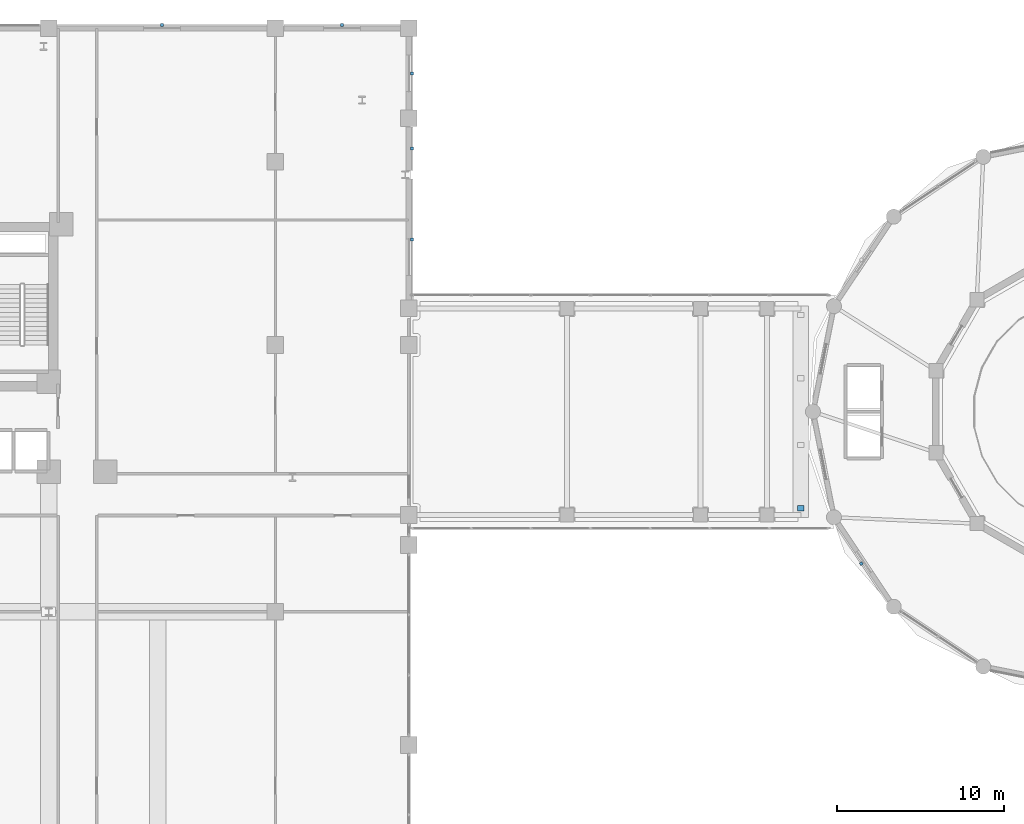
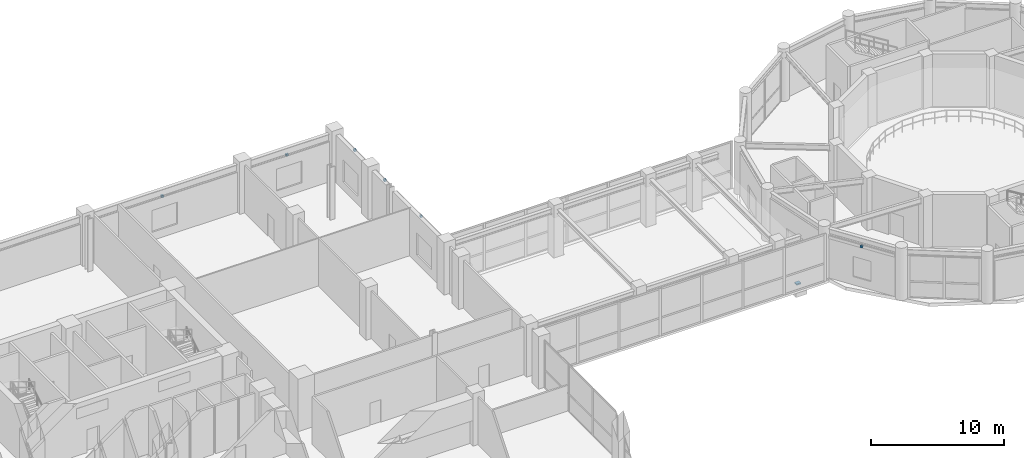
# One storey, part 37 of 44: 7 discrete accessories.
"""IFC4 building model written with IfcOpenShell, lengths in metres."""

from ifc_helpers import new_model, si_unit, derived_unit, direction, frame, origin, origin_2d, place, context, subcontext, project, spatial, rectangle, extrude, source, transform, mapped, material, type_object, element, save


model = new_model("IFC4")

# Units and contexts
model_context = context("Model", 3, precision=1e-05, world=origin(), true_north=direction((0.0, 1.0)))
body_context = subcontext(model_context, "Body", "Model", "MODEL_VIEW")
ifc_project = project(units=[si_unit("LENGTHUNIT", "METRE"), si_unit("AREAUNIT", "SQUARE_METRE"), si_unit("VOLUMEUNIT", "CUBIC_METRE"), si_unit("PLANEANGLEUNIT", "RADIAN"), si_unit("MASSUNIT", "GRAM", prefix="KILO"), derived_unit("THERMALTRANSMITTANCEUNIT", [(si_unit("POWERUNIT", "WATT"), 1), (si_unit("LENGTHUNIT", "METRE"), -2), (si_unit("THERMODYNAMICTEMPERATUREUNIT", "KELVIN"), -1)])], contexts=[model_context])

# Site, building, storey
site_placement = place(None, origin())
site = spatial("IfcSite", under=ifc_project, at=site_placement, CompositionType="ELEMENT")
building_placement = place(site_placement, origin())
building = spatial("IfcBuilding", under=site, at=building_placement, Name="Korsvarv Bourse and Concert Hall", CompositionType="ELEMENT")
storey_placement = place(building_placement, frame((0.0, 0.0, 9.60009765625)))
storey = spatial("IfcBuildingStorey", under=building, at=storey_placement, Name="L02", CompositionType="ELEMENT", Elevation=9.60009765625)

# Discrete accessories
ifc_material_1 = material(Name="Steel S355 and PTFE bearing", Category="steel")
discrete_accessory_type_1 = type_object("IfcDiscreteAccessoryType", Name="ACC-PTFE", PredefinedType="USERDEFINED", material=ifc_material_1)
shared_shape_1 = source(origin(), body_context, "Body", "SweptSolid", [
    extrude(rectangle(XDim=0.39990234375, YDim=0.320068359375, at=origin_2d()), origin(), (0.0, 0.0, 1.0), 0.1201171875),
])
discrete_accessory_placement = place(storey_placement, frame((89.52001953125, 30.199951171875, -0.380126953125), z_axis=(0.0, 0.0, 1.0), x_axis=(1.0, 0.0, 0.0)))
element("IfcDiscreteAccessory", 1, at=discrete_accessory_placement, inside=storey, type_object=discrete_accessory_type_1, Name="L02 link gallery PTFE sliding bearing 1", ObjectType="SLIDING BEARING", PredefinedType="USERDEFINED", context=body_context, shape_type="MappedRepresentation", body=[
    mapped(shared_shape_1, transform((0.0, 0.0, 0.0), scale=1.0)),
])
ifc_material_2 = material(Name="Stainless Steel S355 facade outrigger bracket", Category="steel")
discrete_accessory_type_2 = type_object("IfcDiscreteAccessoryType", Name="ACC-BRK-1", PredefinedType="BRACKET", material=ifc_material_2)
shared_shape_2 = source(origin(), body_context, "Body", "SweptSolid", [
    extrude(rectangle(XDim=0.179931640625, YDim=0.179931640625, at=origin_2d()), origin(), (0.0, 0.0, 1.0), 0.199951171875),
])
for number, where, z_axis, x_axis, name in (
    (2, (51.199951171875, 59.199951171875, 3.39013671875), (0.0, 0.0, 1.0), (1.0, 0.0, 0.0), "L02 terracotta sunshade bracket EW-L02-N4"),
    (3, (62.0, 59.199951171875, 3.39013671875), (0.0, 0.0, 1.0), (1.0, 0.0, 0.0), "L02 terracotta sunshade bracket EW-L02-N5"),
    (4, (66.199951171875, 46.340087890625, 4.08984375), (0.0, 0.0, 1.0), (0.0, 1.0, 0.0), "L02 terracotta sunshade bracket EW-L02-E3-1"),
    (5, (66.199951171875, 51.777099609375, 4.08984375), (0.0, 0.0, 1.0), (0.0, 1.0, 0.0), "L02 terracotta sunshade bracket EW-L02-E3-2"),
    (6, (66.199951171875, 56.300048828125, 4.08984375), (0.0, 0.0, 1.0), (0.0, 1.0, 0.0), "L02 terracotta sunshade bracket EW-L02-E4"),
    (7, (93.15380859375, 26.882080078125, 3.68994140625), (0.0, 0.0, 1.0), (0.55557023302, -0.831469612303, 0.0), "L02 terracotta sunshade bracket EW-L02-CHD10"),
):
    element("IfcDiscreteAccessory", number, at=place(storey_placement, frame(where, z_axis=z_axis, x_axis=x_axis)), inside=storey, type_object=discrete_accessory_type_2, Name=name, PredefinedType="BRACKET", context=body_context, shape_type="MappedRepresentation", body=[
        mapped(shared_shape_2, transform((0.0, 0.0, 0.0), scale=1.0)),
    ])

save(model, "model.ifc")
